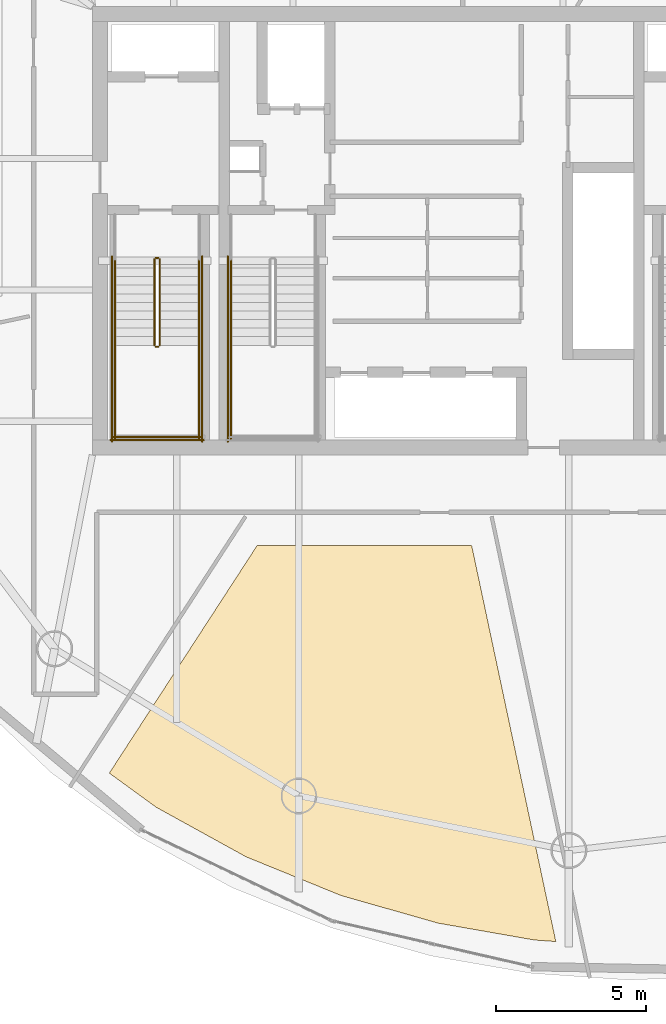
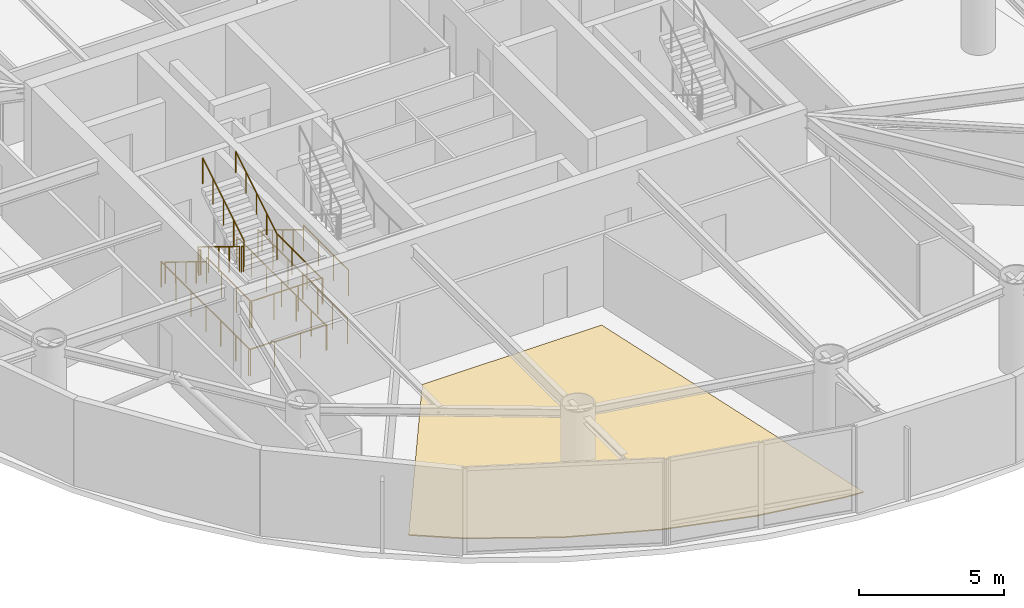
# One storey, part 19 of 22: 15 railings, 1 covering.
"""IFC4 building model written with IfcOpenShell, lengths in metres."""

from ifc_helpers import new_model, si_unit, direction, frame, origin, origin_2d, place, context, subcontext, project, spatial, polyline, circle, outline, extrude, material, layer, layer_set, type_object, element, save


model = new_model("IFC4")

# Units and contexts
model_context = context("Model", 3, precision=1e-05, world=origin(), true_north=direction((0.0, 1.0)))
body_context = subcontext(model_context, "Body", "Model", "MODEL_VIEW")
ifc_project = project(units=[si_unit("LENGTHUNIT", "METRE"), si_unit("AREAUNIT", "SQUARE_METRE"), si_unit("VOLUMEUNIT", "CUBIC_METRE"), si_unit("PLANEANGLEUNIT", "RADIAN"), si_unit("MASSUNIT", "GRAM", prefix="KILO")], contexts=[model_context])

# Site, building, storey
site_placement = place(None, origin())
site = spatial("IfcSite", under=ifc_project, at=site_placement, CompositionType="ELEMENT")
building_placement = place(site_placement, origin())
building = spatial("IfcBuilding", under=site, at=building_placement, Name="Bramvorn Convention Spire", CompositionType="ELEMENT")
storey_placement = place(building_placement, frame((0.0, 0.0, 221.25)))
storey = spatial("IfcBuildingStorey", under=building, at=storey_placement, Name="L56", CompositionType="ELEMENT", Elevation=221.25)

# Covering
ifc_material_1 = material(Name="Calcium-Sulphate Raised Access Office Floor", Category="steel")
ifc_layer = layer(ifc_material_1, 0.044921875)
ifc_layer_set = layer_set([ifc_layer], Name="Calcium-Sulphate Raised Access Office Floor - FLR-RAISED-45")
covering_type = type_object("IfcCoveringType", Name="FLR-RAISED-45", PredefinedType="FLOORING", material=ifc_layer_set)
covering_placement = place(storey_placement, origin())
element("IfcCovering", 1, at=covering_placement, inside=storey, type_object=covering_type, Name="L56 Associate Office Chamber 6 6 raised floor finish", PredefinedType="FLOORING", context=body_context, shape_type="SweptSolid", body=[
    extrude(outline(polyline([(41.44091796875, 2.4375), (42.14990234375, 2.38720703125), (39.352294921875, 15.550048828125), (32.227294921875, 15.550048828125), (27.3134765625, 7.9833984375), (28.87060546875, 6.84912109375), (31.86376953125, 5.198974609375), (35.013671875, 3.916748046875), (38.235595703125, 2.99951171875), (41.44091796875, 2.4375)])), origin(), (0.0, 0.0, 1.0), 0.044921875),
])

# Railings
ifc_material_2 = material(Name="Painted Steel Balustrade & Guardrail", Category="steel")
railing_type_1 = type_object("IfcRailingType", Name="RL-STAIR-GUARD-1100", PredefinedType="GUARDRAIL", material=ifc_material_2)
railing_1_placement = place(storey_placement, frame((28.81005859375, 25.050048828125, 0.175048828125)))
element("IfcRailing", 2, at=railing_1_placement, inside=storey, type_object=railing_type_1, Name="L56 ST1 stair guard 1", PredefinedType="GUARDRAIL", context=body_context, shape_type="SweptSolid", body=[
    extrude(circle(Radius=0.02392578125, at=origin_2d()), frame((0.0, 0.0, 1.076171875), z_axis=(0.0, -0.852179220489, 0.52325001306), x_axis=(1.0, 0.0, 0.0)), (0.0, 0.0, 1.0), 3.344482421875),
    extrude(circle(Radius=0.02099609375, at=origin_2d()), origin(), (0.0, 0.0, 1.0), 1.052001953125),
    extrude(circle(Radius=0.02099609375, at=origin_2d()), frame((0.0, -0.71240234375, 0.4375)), (0.0, 0.0, 1.0), 1.052001953125),
    extrude(circle(Radius=0.02099609375, at=origin_2d()), frame((0.0, -1.425048828125, 0.875)), (0.0, 0.0, 1.0), 1.052001953125),
    extrude(circle(Radius=0.02099609375, at=origin_2d()), frame((0.0, -2.1376953125, 1.3125)), (0.0, 0.0, 1.0), 1.052001953125),
    extrude(circle(Radius=0.02099609375, at=origin_2d()), frame((0.0, -2.85009765625, 1.75)), (0.0, 0.0, 1.0), 1.052001953125),
])
railing_2_placement = place(storey_placement, frame((28.860107421875, 22.14990234375, 1.925048828125)))
element("IfcRailing", 3, at=railing_2_placement, inside=storey, type_object=railing_type_1, Name="L56 ST1 stair guard 2", PredefinedType="GUARDRAIL", context=body_context, shape_type="SweptSolid", body=[
    extrude(circle(Radius=0.02392578125, at=origin_2d()), frame((0.0, 0.0, 1.076171875), z_axis=(1.0, 0.0, 0.0), x_axis=(0.0, 1.0, 0.0)), (0.0, 0.0, 1.0), 0.079833984375),
    extrude(circle(Radius=0.02099609375, at=origin_2d()), origin(), (0.0, 0.0, 1.0), 1.052001953125),
    extrude(circle(Radius=0.02099609375, at=origin_2d()), frame((0.079833984375, 0.0, 0.0)), (0.0, 0.0, 1.0), 1.052001953125),
])
for number, where, name in (
    (4, (27.5, 22.199951171875, 1.925048828125), "L56 ST1 stair guard 3"),
    (5, (30.300048828125, 22.199951171875, 1.925048828125), "L56 ST1 stair guard 4"),
):
    element("IfcRailing", number, at=place(storey_placement, frame(where)), inside=storey, type_object=railing_type_1, Name=name, PredefinedType="GUARDRAIL", context=body_context, shape_type="SweptSolid", body=[
        extrude(circle(Radius=0.02392578125, at=origin_2d()), frame((0.0, 0.0, 1.076171875), z_axis=(0.0, -1.0, 0.0), x_axis=(1.0, 0.0, 0.0)), (0.0, 0.0, 1.0), 3.099853515625),
        extrude(circle(Radius=0.02099609375, at=origin_2d()), origin(), (0.0, 0.0, 1.0), 1.052001953125),
        extrude(circle(Radius=0.02099609375, at=origin_2d()), frame((0.0, -1.033203125, 0.0)), (0.0, 0.0, 1.0), 1.052001953125),
        extrude(circle(Radius=0.02099609375, at=origin_2d()), frame((0.0, -2.066650390625, 0.0)), (0.0, 0.0, 1.0), 1.052001953125),
        extrude(circle(Radius=0.02099609375, at=origin_2d()), frame((0.0, -3.099853515625, 0.0)), (0.0, 0.0, 1.0), 1.052001953125),
    ])
railing_3_placement = place(storey_placement, frame((27.449951171875, 19.14990234375, 1.925048828125)))
element("IfcRailing", 6, at=railing_3_placement, inside=storey, type_object=railing_type_1, Name="L56 ST1 stair guard 5", PredefinedType="GUARDRAIL", context=body_context, shape_type="SweptSolid", body=[
    extrude(circle(Radius=0.02392578125, at=origin_2d()), frame((0.0, 0.0, 1.076171875), z_axis=(1.0, 0.0, 0.0), x_axis=(0.0, 1.0, 0.0)), (0.0, 0.0, 1.0), 2.900146484375),
    extrude(circle(Radius=0.02099609375, at=origin_2d()), origin(), (0.0, 0.0, 1.0), 1.052001953125),
    extrude(circle(Radius=0.02099609375, at=origin_2d()), frame((0.966796875, 0.0, 0.0)), (0.0, 0.0, 1.0), 1.052001953125),
    extrude(circle(Radius=0.02099609375, at=origin_2d()), frame((1.933349609375, 0.0, 0.0)), (0.0, 0.0, 1.0), 1.052001953125),
    extrude(circle(Radius=0.02099609375, at=origin_2d()), frame((2.900146484375, 0.0, 0.0)), (0.0, 0.0, 1.0), 1.052001953125),
])
railing_4_placement = place(storey_placement, frame((28.989990234375, 22.199951171875, 2.10009765625)))
element("IfcRailing", 7, at=railing_4_placement, inside=storey, type_object=railing_type_1, Name="L56 ST1 stair guard 6", PredefinedType="GUARDRAIL", context=body_context, shape_type="SweptSolid", body=[
    extrude(circle(Radius=0.02392578125, at=origin_2d()), frame((0.0, 0.0, 1.076171875), z_axis=(0.0, 0.852179220489, 0.52325001306), x_axis=(-1.0, 0.0, 0.0)), (0.0, 0.0, 1.0), 3.344482421875),
    extrude(circle(Radius=0.02099609375, at=origin_2d()), origin(), (0.0, 0.0, 1.0), 1.052001953125),
    extrude(circle(Radius=0.02099609375, at=origin_2d()), frame((0.0, 0.71240234375, 0.4375)), (0.0, 0.0, 1.0), 1.052001953125),
    extrude(circle(Radius=0.02099609375, at=origin_2d()), frame((0.0, 1.425048828125, 0.875)), (0.0, 0.0, 1.0), 1.052001953125),
    extrude(circle(Radius=0.02099609375, at=origin_2d()), frame((0.0, 2.1376953125, 1.3125)), (0.0, 0.0, 1.0), 1.052001953125),
    extrude(circle(Radius=0.02099609375, at=origin_2d()), frame((0.0, 2.85009765625, 1.75)), (0.0, 0.0, 1.0), 1.052001953125),
])
railing_5_placement = place(storey_placement, frame((28.860107421875, 25.10009765625, 0.0)))
element("IfcRailing", 8, at=railing_5_placement, inside=storey, type_object=railing_type_1, Name="L56 ST1 stair guard 7", PredefinedType="GUARDRAIL", context=body_context, shape_type="SweptSolid", body=[
    extrude(circle(Radius=0.02392578125, at=origin_2d()), frame((0.0, 0.0, 1.076171875), z_axis=(1.0, 0.0, 0.0), x_axis=(0.0, 1.0, 0.0)), (0.0, 0.0, 1.0), 0.079833984375),
    extrude(circle(Radius=0.02099609375, at=origin_2d()), origin(), (0.0, 0.0, 1.0), 1.052001953125),
    extrude(circle(Radius=0.02099609375, at=origin_2d()), frame((0.079833984375, 0.0, 0.0)), (0.0, 0.0, 1.0), 1.052001953125),
])
for number, where, name in (
    (9, (27.39990234375, 25.14990234375, 0.0), "L56 ST1 stair guard 10"),
    (10, (30.39990234375, 25.14990234375, 0.0), "L56 ST1 stair guard 11"),
):
    element("IfcRailing", number, at=place(storey_placement, frame(where)), inside=storey, type_object=railing_type_1, Name=name, PredefinedType="GUARDRAIL", context=body_context, shape_type="SweptSolid", body=[
        extrude(circle(Radius=0.02392578125, at=origin_2d()), frame((0.0, 0.0, 1.076171875), z_axis=(0.0, -1.0, 0.0), x_axis=(1.0, 0.0, 0.0)), (0.0, 0.0, 1.0), 6.14990234375),
        extrude(circle(Radius=0.02099609375, at=origin_2d()), origin(), (0.0, 0.0, 1.0), 1.052001953125),
        extrude(circle(Radius=0.02099609375, at=origin_2d()), frame((0.0, -1.02490234375, 0.0)), (0.0, 0.0, 1.0), 1.052001953125),
        extrude(circle(Radius=0.02099609375, at=origin_2d()), frame((0.0, -2.050048828125, 0.0)), (0.0, 0.0, 1.0), 1.052001953125),
        extrude(circle(Radius=0.02099609375, at=origin_2d()), frame((0.0, -3.074951171875, 0.0)), (0.0, 0.0, 1.0), 1.052001953125),
        extrude(circle(Radius=0.02099609375, at=origin_2d()), frame((0.0, -4.099853515625, 0.0)), (0.0, 0.0, 1.0), 1.052001953125),
        extrude(circle(Radius=0.02099609375, at=origin_2d()), frame((0.0, -5.125, 0.0)), (0.0, 0.0, 1.0), 1.052001953125),
        extrude(circle(Radius=0.02099609375, at=origin_2d()), frame((0.0, -6.14990234375, 0.0)), (0.0, 0.0, 1.0), 1.052001953125),
    ])
railing_6_placement = place(storey_placement, frame((27.35009765625, 19.050048828125, 0.0)))
element("IfcRailing", 11, at=railing_6_placement, inside=storey, type_object=railing_type_1, Name="L56 ST1 stair guard 12", PredefinedType="GUARDRAIL", context=body_context, shape_type="SweptSolid", body=[
    extrude(circle(Radius=0.02392578125, at=origin_2d()), frame((0.0, 0.0, 1.076171875), z_axis=(1.0, 0.0, 0.0), x_axis=(0.0, 1.0, 0.0)), (0.0, 0.0, 1.0), 3.099853515625),
    extrude(circle(Radius=0.02099609375, at=origin_2d()), origin(), (0.0, 0.0, 1.0), 1.052001953125),
    extrude(circle(Radius=0.02099609375, at=origin_2d()), frame((1.033203125, 0.0, 0.0)), (0.0, 0.0, 1.0), 1.052001953125),
    extrude(circle(Radius=0.02099609375, at=origin_2d()), frame((2.066650390625, 0.0, 0.0)), (0.0, 0.0, 1.0), 1.052001953125),
    extrude(circle(Radius=0.02099609375, at=origin_2d()), frame((3.099853515625, 0.0, 0.0)), (0.0, 0.0, 1.0), 1.052001953125),
])
railing_7_placement = place(storey_placement, frame((31.35009765625, 22.199951171875, 1.925048828125)))
element("IfcRailing", 12, at=railing_7_placement, inside=storey, type_object=railing_type_1, Name="L56 ST3 stair guard 3", PredefinedType="GUARDRAIL", context=body_context, shape_type="SweptSolid", body=[
    extrude(circle(Radius=0.02392578125, at=origin_2d()), frame((0.0, 0.0, 1.076171875), z_axis=(0.0, -1.0, 0.0), x_axis=(1.0, 0.0, 0.0)), (0.0, 0.0, 1.0), 3.099853515625),
    extrude(circle(Radius=0.02099609375, at=origin_2d()), origin(), (0.0, 0.0, 1.0), 1.052001953125),
    extrude(circle(Radius=0.02099609375, at=origin_2d()), frame((0.0, -1.033203125, 0.0)), (0.0, 0.0, 1.0), 1.052001953125),
    extrude(circle(Radius=0.02099609375, at=origin_2d()), frame((0.0, -2.066650390625, 0.0)), (0.0, 0.0, 1.0), 1.052001953125),
    extrude(circle(Radius=0.02099609375, at=origin_2d()), frame((0.0, -3.099853515625, 0.0)), (0.0, 0.0, 1.0), 1.052001953125),
])
railing_8_placement = place(storey_placement, frame((31.25, 25.14990234375, 0.0)))
element("IfcRailing", 13, at=railing_8_placement, inside=storey, type_object=railing_type_1, Name="L56 ST3 stair guard 10", PredefinedType="GUARDRAIL", context=body_context, shape_type="SweptSolid", body=[
    extrude(circle(Radius=0.02392578125, at=origin_2d()), frame((0.0, 0.0, 1.076171875), z_axis=(0.0, -1.0, 0.0), x_axis=(1.0, 0.0, 0.0)), (0.0, 0.0, 1.0), 6.14990234375),
    extrude(circle(Radius=0.02099609375, at=origin_2d()), origin(), (0.0, 0.0, 1.0), 1.052001953125),
    extrude(circle(Radius=0.02099609375, at=origin_2d()), frame((0.0, -1.02490234375, 0.0)), (0.0, 0.0, 1.0), 1.052001953125),
    extrude(circle(Radius=0.02099609375, at=origin_2d()), frame((0.0, -2.050048828125, 0.0)), (0.0, 0.0, 1.0), 1.052001953125),
    extrude(circle(Radius=0.02099609375, at=origin_2d()), frame((0.0, -3.074951171875, 0.0)), (0.0, 0.0, 1.0), 1.052001953125),
    extrude(circle(Radius=0.02099609375, at=origin_2d()), frame((0.0, -4.099853515625, 0.0)), (0.0, 0.0, 1.0), 1.052001953125),
    extrude(circle(Radius=0.02099609375, at=origin_2d()), frame((0.0, -5.125, 0.0)), (0.0, 0.0, 1.0), 1.052001953125),
    extrude(circle(Radius=0.02099609375, at=origin_2d()), frame((0.0, -6.14990234375, 0.0)), (0.0, 0.0, 1.0), 1.052001953125),
])
ifc_material_3 = material(Name="Brushed Bronze Tubular Handrail", Category="aluminium")
railing_type_2 = type_object("IfcRailingType", Name="RL-STAIR-HR-920", PredefinedType="HANDRAIL", material=ifc_material_3)
railing_9_placement = place(storey_placement, frame((27.5, 25.050048828125, 0.175048828125)))
element("IfcRailing", 14, at=railing_9_placement, inside=storey, type_object=railing_type_2, Name="L56 ST1 stair handrail 1", PredefinedType="HANDRAIL", context=body_context, shape_type="SweptSolid", body=[
    extrude(circle(Radius=0.02392578125, at=origin_2d()), frame((0.0, 0.0, 0.89599609375), z_axis=(0.0, -0.852179220489, 0.52325001306), x_axis=(1.0, 0.0, 0.0)), (0.0, 0.0, 1.0), 3.344482421875),
    extrude(circle(Radius=0.02099609375, at=origin_2d()), origin(), (0.0, 0.0, 1.0), 0.871826171875),
    extrude(circle(Radius=0.02099609375, at=origin_2d()), frame((0.0, -0.71240234375, 0.4375)), (0.0, 0.0, 1.0), 0.871826171875),
    extrude(circle(Radius=0.02099609375, at=origin_2d()), frame((0.0, -1.425048828125, 0.875)), (0.0, 0.0, 1.0), 0.871826171875),
    extrude(circle(Radius=0.02099609375, at=origin_2d()), frame((0.0, -2.1376953125, 1.3125)), (0.0, 0.0, 1.0), 0.871826171875),
    extrude(circle(Radius=0.02099609375, at=origin_2d()), frame((0.0, -2.85009765625, 1.75)), (0.0, 0.0, 1.0), 0.871826171875),
])
railing_10_placement = place(storey_placement, frame((30.300048828125, 22.199951171875, 2.10009765625)))
element("IfcRailing", 15, at=railing_10_placement, inside=storey, type_object=railing_type_2, Name="L56 ST1 stair handrail 2", PredefinedType="HANDRAIL", context=body_context, shape_type="SweptSolid", body=[
    extrude(circle(Radius=0.02392578125, at=origin_2d()), frame((0.0, 0.0, 0.89599609375), z_axis=(0.0, 0.852179220489, 0.52325001306), x_axis=(-1.0, 0.0, 0.0)), (0.0, 0.0, 1.0), 3.344482421875),
    extrude(circle(Radius=0.02099609375, at=origin_2d()), origin(), (0.0, 0.0, 1.0), 0.871826171875),
    extrude(circle(Radius=0.02099609375, at=origin_2d()), frame((0.0, 0.71240234375, 0.4375)), (0.0, 0.0, 1.0), 0.871826171875),
    extrude(circle(Radius=0.02099609375, at=origin_2d()), frame((0.0, 1.425048828125, 0.875)), (0.0, 0.0, 1.0), 0.871826171875),
    extrude(circle(Radius=0.02099609375, at=origin_2d()), frame((0.0, 2.1376953125, 1.3125)), (0.0, 0.0, 1.0), 0.871826171875),
    extrude(circle(Radius=0.02099609375, at=origin_2d()), frame((0.0, 2.85009765625, 1.75)), (0.0, 0.0, 1.0), 0.871826171875),
])
railing_11_placement = place(storey_placement, frame((31.35009765625, 25.050048828125, 0.175048828125)))
element("IfcRailing", 16, at=railing_11_placement, inside=storey, type_object=railing_type_2, Name="L56 ST3 stair handrail 1", PredefinedType="HANDRAIL", context=body_context, shape_type="SweptSolid", body=[
    extrude(circle(Radius=0.02392578125, at=origin_2d()), frame((0.0, 0.0, 0.89599609375), z_axis=(0.0, -0.852179220489, 0.52325001306), x_axis=(1.0, 0.0, 0.0)), (0.0, 0.0, 1.0), 3.344482421875),
    extrude(circle(Radius=0.02099609375, at=origin_2d()), origin(), (0.0, 0.0, 1.0), 0.871826171875),
    extrude(circle(Radius=0.02099609375, at=origin_2d()), frame((0.0, -0.71240234375, 0.4375)), (0.0, 0.0, 1.0), 0.871826171875),
    extrude(circle(Radius=0.02099609375, at=origin_2d()), frame((0.0, -1.425048828125, 0.875)), (0.0, 0.0, 1.0), 0.871826171875),
    extrude(circle(Radius=0.02099609375, at=origin_2d()), frame((0.0, -2.1376953125, 1.3125)), (0.0, 0.0, 1.0), 0.871826171875),
    extrude(circle(Radius=0.02099609375, at=origin_2d()), frame((0.0, -2.85009765625, 1.75)), (0.0, 0.0, 1.0), 0.871826171875),
])

save(model, "model.ifc")
